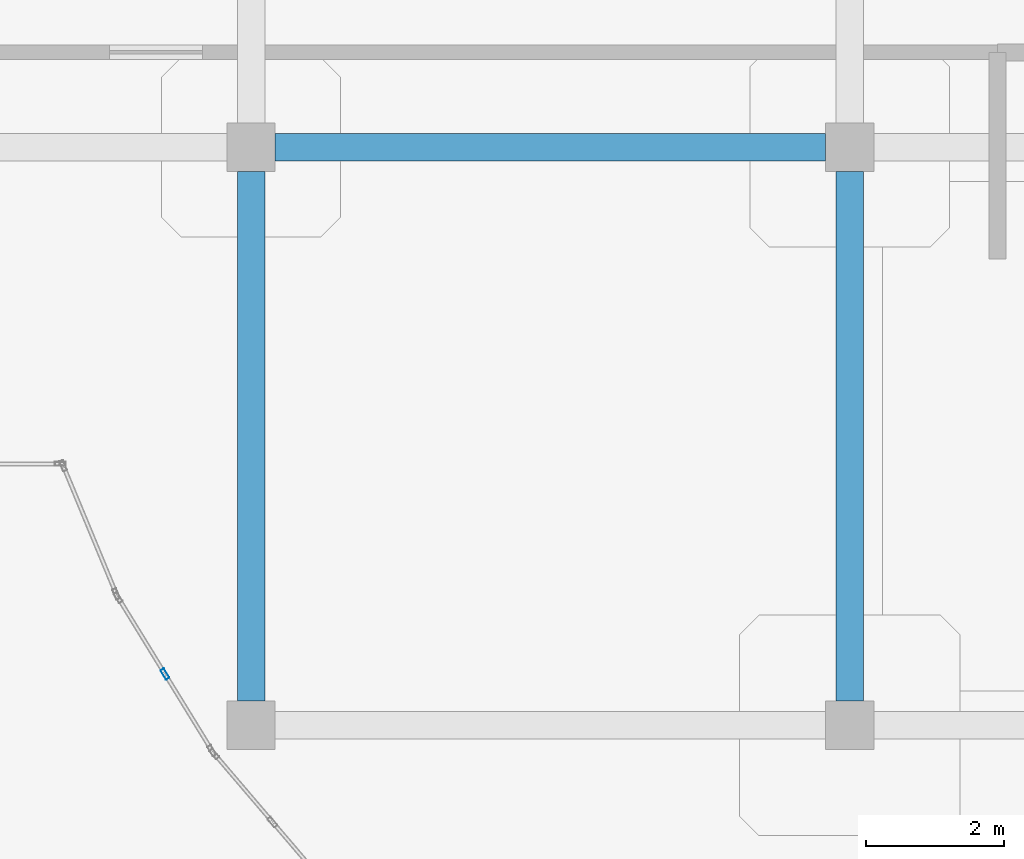
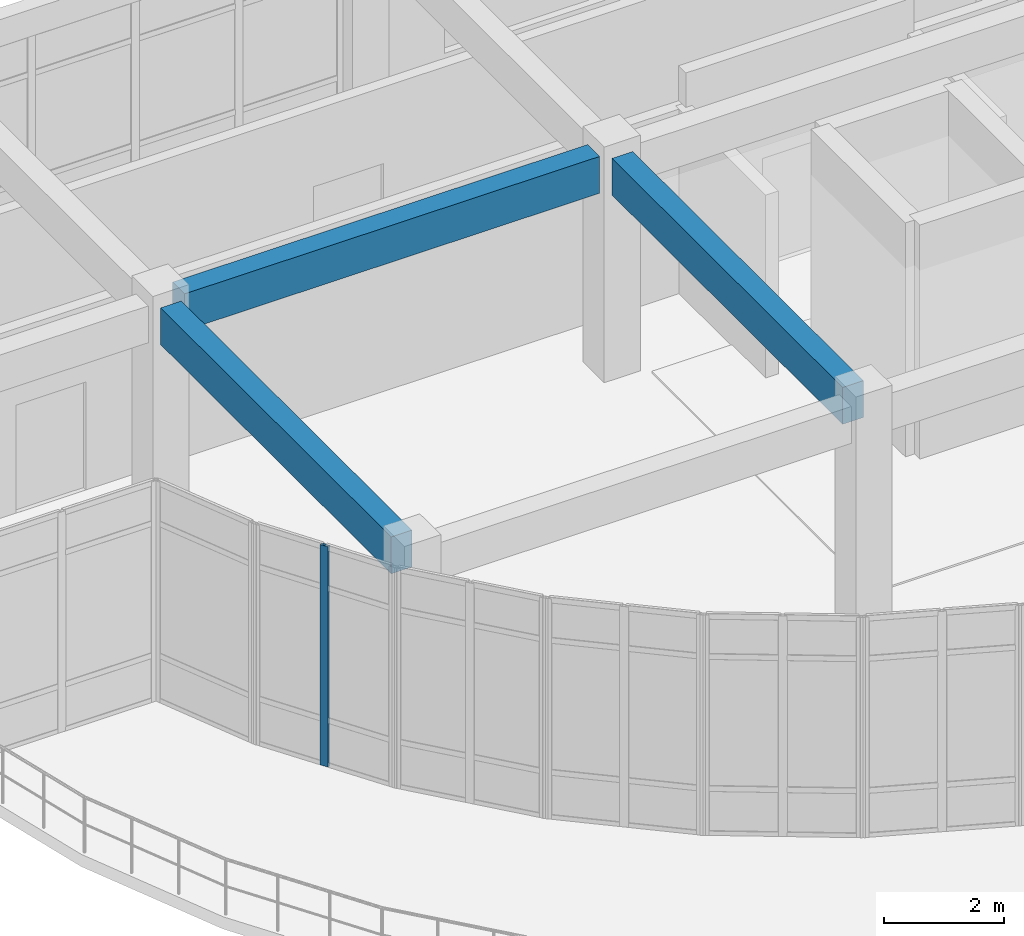
# One storey, part 6 of 64: 3 beams, 1 member, 1 element without a shape of its own.
"""IFC4 building model written with IfcOpenShell, lengths in metres."""

from ifc_helpers import new_model, si_unit, derived_unit, direction, frame, origin, origin_2d, place, context, subcontext, project, spatial, rectangle, hollow_rectangle, extrude, material, layer, layer_set, material_profile, profile_set, type_object, element, aggregate, save


model = new_model("IFC4")

# Units and contexts
model_context = context("Model", 3, precision=1e-05, world=origin(), true_north=direction((0.0, 1.0)))
body_context = subcontext(model_context, "Body", "Model", "MODEL_VIEW")
ifc_project = project(units=[si_unit("LENGTHUNIT", "METRE"), si_unit("AREAUNIT", "SQUARE_METRE"), si_unit("VOLUMEUNIT", "CUBIC_METRE"), si_unit("PLANEANGLEUNIT", "RADIAN"), si_unit("MASSUNIT", "GRAM", prefix="KILO"), derived_unit("THERMALTRANSMITTANCEUNIT", [(si_unit("MASSUNIT", "GRAM", prefix="KILO"), 1), (si_unit("TIMEUNIT", "SECOND"), -3), (si_unit("THERMODYNAMICTEMPERATUREUNIT", "KELVIN"), -1)])], contexts=[model_context])

# Site, building, storey
site_placement = place(None, origin())
site = spatial("IfcSite", under=ifc_project, at=site_placement, CompositionType="ELEMENT")
building_placement = place(site_placement, origin())
building = spatial("IfcBuilding", under=site, at=building_placement, Name="Qinzheling Arcade Emporium", CompositionType="ELEMENT")
storey_placement = place(building_placement, frame((0.0, 0.0, 31.5)))
storey = spatial("IfcBuildingStorey", under=building, at=storey_placement, Name="L07", CompositionType="ELEMENT", Elevation=31.5)

# Curtain wall, member
ifc_material_1 = material(Name="Anodised aluminium and solar-control double glazing", Category="aluminium")
ifc_layer = layer(ifc_material_1, 0.159912109375, Name="Anodised aluminium and solar-control double glazing", Category="aluminium")
ifc_layer_set = layer_set([ifc_layer], Name="Anodised aluminium and solar-control double glazing")
curtain_wall_type = type_object("IfcCurtainWallType", Name="Curved Ribbon Sales Curtain Wall", PredefinedType="NOTDEFINED", material=ifc_layer_set)
curtain_wall_placement = place(storey_placement, origin())
curtain_wall = element("IfcCurtainWall", 1, at=curtain_wall_placement, inside=storey, type_object=curtain_wall_type, Name="Curtain Wall CW-L07-407", PredefinedType="NOTDEFINED")
ifc_material_2 = material(Name="Anodised aluminium 6063-T6", Category="aluminium")
ifc_material_profile_1 = material_profile(ifc_material_2, hollow_rectangle(XDim=0.06005859375, YDim=0.159912109375, WallThickness=0.00390625, InnerFilletRadius=0.00390625, OuterFilletRadius=0.008056640625, at=origin_2d()), Name="RHS 160x60x4", Category="aluminium")
ifc_profile_set_1 = profile_set([ifc_material_profile_1], Name="Anodised aluminium 6063-T6")
member_type = type_object("IfcMemberType", Name="Curtain Wall Mullion RHS160x60", PredefinedType="MULLION", material=ifc_profile_set_1)
member_placement = place(storey_placement, frame((16.14990234375, 25.945068359375, 0.0), z_axis=(0.0, 0.0, 1.0), x_axis=(-0.852558142719, -0.522632388284, 0.0)))
member = element("IfcMember", 2, at=member_placement, type_object=member_type, Name="CW02 mullion 2", PredefinedType="MULLION", context=body_context, shape_type="SweptSolid", body=[
    extrude(hollow_rectangle(XDim=0.06005859375, YDim=0.159912109375, WallThickness=0.00390625, InnerFilletRadius=0.00390625, OuterFilletRadius=0.008056640625, at=origin_2d()), origin(), (0.0, 0.0, 1.0), 4.489990234375),
])
aggregate(curtain_wall, [member])

# Beams
ifc_material_3 = material(Name="Concrete C40", Category="concrete")
ifc_material_profile_2 = material_profile(ifc_material_3, rectangle(XDim=0.39990234375, YDim=0.75, at=origin_2d()), Name="RC 400x750", Category="concrete")
ifc_profile_set_2 = profile_set([ifc_material_profile_2], Name="Concrete C40")
beam_type = type_object("IfcBeamType", Name="RC Interior Tie Beam 400x750 C40", PredefinedType="BEAM", material=ifc_profile_set_2)
beam_placement = place(storey_placement, frame((17.75, 33.60009765625, 4.14501953125), z_axis=(1.0, 0.0, 0.0), x_axis=(0.0, 1.0, 0.0)))
element("IfcBeam", 3, at=beam_placement, inside=storey, type_object=beam_type, Name="Beam BM-L07-X-E-3", PredefinedType="BEAM", context=body_context, shape_type="SweptSolid", body=[
    extrude(rectangle(XDim=0.39990234375, YDim=0.75, at=origin_2d()), origin(), (0.0, 0.0, 1.0), 8.0),
])
for number, where, z_axis, x_axis, name in (
    (4, (17.39990234375, 25.550048828125, 4.14501953125), (0.0, 1.0, 0.0), (-1.0, 0.0, 0.0), "Beam BM-L07-Y-3-D"),
    (5, (26.10009765625, 25.550048828125, 4.14501953125), (0.0, 1.0, 0.0), (-1.0, 0.0, 0.0), "Beam BM-L07-Y-4-D"),
):
    element("IfcBeam", number, at=place(storey_placement, frame(where, z_axis=z_axis, x_axis=x_axis)), inside=storey, type_object=beam_type, Name=name, PredefinedType="BEAM", context=body_context, shape_type="SweptSolid", body=[
        extrude(rectangle(XDim=0.39990234375, YDim=0.75, at=origin_2d()), origin(), (0.0, 0.0, 1.0), 7.699951171875),
    ])

save(model, "model.ifc")
